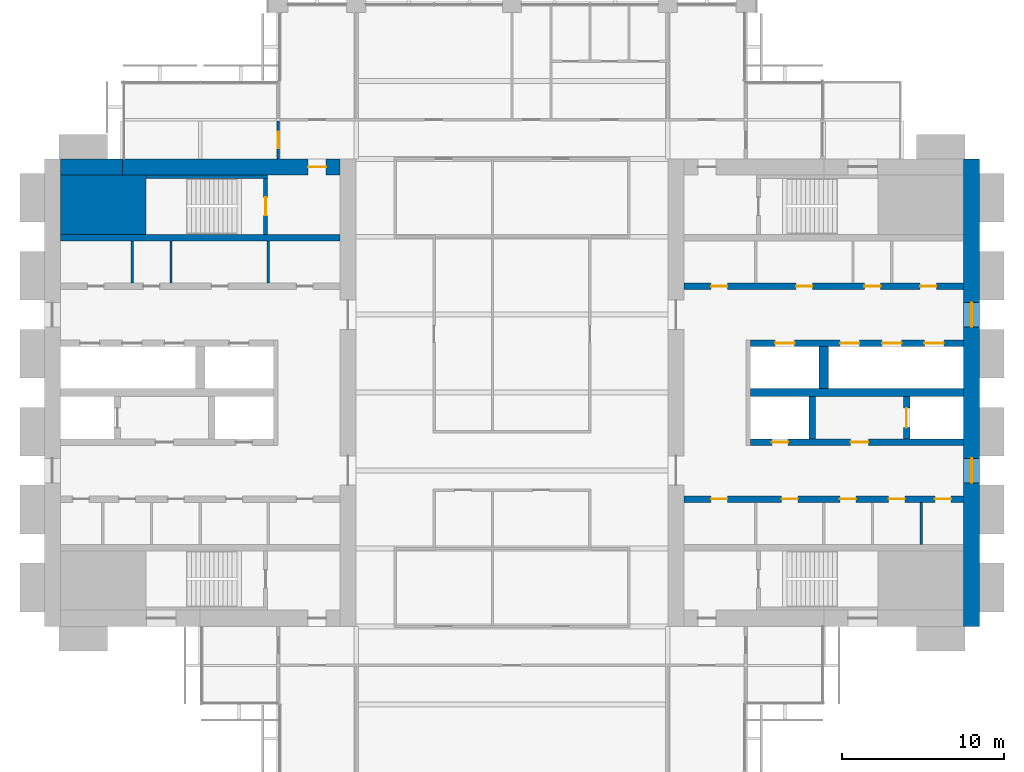
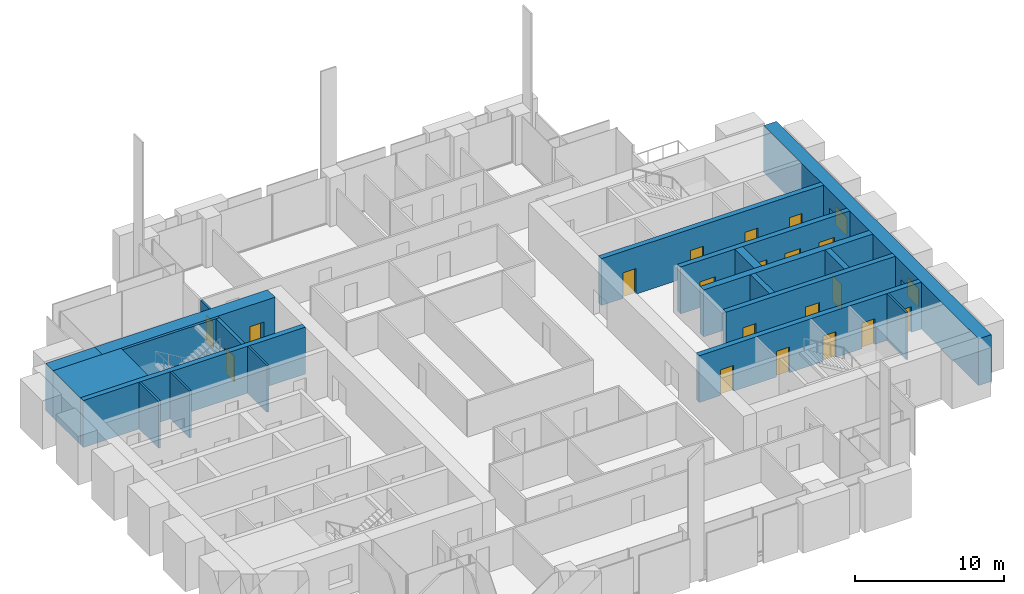
# One storey, part 11 of 14: 20 walls, 19 doors, 2 windows, 21 openings.
"""IFC4 building model written with IfcOpenShell, lengths in metres."""

from ifc_helpers import new_model, si_unit, direction, frame, frame_2d, origin, place, context, subcontext, project, spatial, rectangle, extrude, material, layer, layer_set, type_object, element, fill, save


model = new_model("IFC4")

# Units and contexts
model_context = context("Model", 3, precision=1e-05, world=origin(), true_north=direction((0.0, 1.0)))
body_context = subcontext(model_context, "Body", "Model", "MODEL_VIEW")
ifc_project = project(units=[si_unit("LENGTHUNIT", "METRE"), si_unit("AREAUNIT", "SQUARE_METRE"), si_unit("VOLUMEUNIT", "CUBIC_METRE"), si_unit("PLANEANGLEUNIT", "RADIAN"), si_unit("MASSUNIT", "GRAM", prefix="KILO")], contexts=[model_context])

# Site, building, storey
site_placement = place(None, origin())
site = spatial("IfcSite", under=ifc_project, at=site_placement, CompositionType="ELEMENT")
building_placement = place(site_placement, origin())
building = spatial("IfcBuilding", under=site, at=building_placement, Name="Baori Bourse Tower", CompositionType="ELEMENT")
storey_placement = place(building_placement, frame((0.0, 0.0, 144.10009765625)))
storey = spatial("IfcBuildingStorey", under=building, at=storey_placement, Name="L31", CompositionType="ELEMENT", Elevation=144.10009765625)

# Walls
ifc_material_1 = material(Name="Concrete f'c 60 MPa", Category="concrete")
wall_type_1 = type_object("IfcWallType", Name="Core corner block f'c 60", PredefinedType="SHEAR", material=ifc_material_1)
wall_1_placement = place(storey_placement, frame((1.0, 35.574951171875, 0.0), z_axis=(0.0, 0.0, 1.0), x_axis=(1.0, 0.0, 0.0)))
element("IfcWall", 1, at=wall_1_placement, inside=storey, type_object=wall_type_1, Name="Core wall W27", PredefinedType="SHEAR", context=body_context, shape_type="SweptSolid", body=[
    extrude(rectangle(XDim=5.25, YDim=3.64990234375, at=frame_2d((2.625, 0.0))), origin(), (0.0, 0.0, 1.0), 3.83984375),
])
ifc_material_2 = material(Name="Blockwork partition", Category="masonry")
ifc_layer_1 = layer(ifc_material_2, 0.14990234375)
ifc_layer_set_1 = layer_set([ifc_layer_1], Name="Core partition 150")
wall_type_2 = type_object("IfcWallType", Name="Core partition 150", PredefinedType="PARTITIONING", material=ifc_layer_set_1)
for number, where, z_axis, x_axis, name in (
    (2, (5.39990234375, 30.75, 0.0), (0.0, 0.0, 1.0), (0.0, 1.0, 0.0), "Partition wall W23"),
    (3, (7.800048828125, 30.75, 0.0), (0.0, 0.0, 1.0), (0.0, 1.0, 0.0), "Partition wall W24"),
    (4, (13.800048828125, 30.75, 0.0), (0.0, 0.0, 1.0), (0.0, 1.0, 0.0), "Partition wall W25"),
    (5, (54.0, 14.64990234375, 0.0), (0.0, 0.0, 1.0), (0.0, 1.0, 0.0), "Partition wall E10"),
):
    element("IfcWall", number, at=place(storey_placement, frame(where, z_axis=z_axis, x_axis=x_axis)), inside=storey, type_object=wall_type_2, Name=name, PredefinedType="PARTITIONING", context=body_context, shape_type="SweptSolid", body=[
        extrude(rectangle(XDim=2.60009765625, YDim=0.14990234375, at=frame_2d((1.300048828125, 0.0))), origin(), (0.0, 0.0, 1.0), 3.83984375),
    ])
ifc_material_3 = material(Name="Concrete f'c 60 MPa", Category="concrete")
ifc_layer_2 = layer(ifc_material_3, 1.0)
ifc_layer_set_2 = layer_set([ifc_layer_2], Name="Core wall 1000 f'c 60")
wall_type_3 = type_object("IfcWallType", Name="Core wall 1000 f'c 60", PredefinedType="SHEAR", material=ifc_layer_set_2)
wall_2_placement = place(storey_placement, frame((1.0, 37.89990234375, 0.0), z_axis=(0.0, 0.0, 1.0), x_axis=(1.0, 0.0, 0.0)))
element("IfcWall", 6, at=wall_2_placement, inside=storey, type_object=wall_type_3, Name="Core wall W30", PredefinedType="SHEAR", context=body_context, shape_type="SweptSolid", body=[
    extrude(rectangle(XDim=3.800048828125, YDim=1.0, at=frame_2d((1.89990234375, 0.0))), origin(), (0.0, 0.0, 1.0), 3.83984375),
])

# Wall, opening, door
wall_3_placement = place(storey_placement, frame((4.800048828125, 37.89990234375, 0.0), z_axis=(0.0, 0.0, 1.0), x_axis=(1.0, 0.0, 0.0)))
wall_3 = element("IfcWall", 7, at=wall_3_placement, inside=storey, type_object=wall_type_3, Name="Core wall W31", PredefinedType="SHEAR", context=body_context, shape_type="SweptSolid", body=[
    extrude(rectangle(XDim=13.39990234375, YDim=1.0, at=frame_2d((6.699951171875, 0.0))), origin(), (0.0, 0.0, 1.0), 3.83984375),
])
opening_1_placement = place(wall_3_placement, frame((11.449951171875, 0.0, 0.0)))
opening_1 = element("IfcOpeningElement", 8, at=opening_1_placement, cuts=wall_3, Name="Opening L31-D104", PredefinedType="OPENING", context=body_context, shape_type="SweptSolid", body=[
    extrude(rectangle(XDim=1.10009765625, YDim=2.10009765625, at=frame_2d((0.550048828125, 1.050048828125))), frame((0.0, 0.510009765625, 0.0), z_axis=(0.0, -1.0, 0.0), x_axis=(1.0, 0.0, 0.0)), (0.0, 0.0, 1.0), 1.02001953125),
])
ifc_material_4 = material(Name="Painted steel door", Category="steel")
door_type_1 = type_object("IfcDoorType", Name="Stair door 1100", OperationType="SINGLE_SWING_LEFT", PredefinedType="DOOR", material=ifc_material_4)
door_1_placement = place(opening_1_placement, origin())
door_1 = element("IfcDoor", 9, at=door_1_placement, inside=storey, type_object=door_type_1, Name="Stair vestibule door B W L31", OperationType="SINGLE_SWING_LEFT", OverallHeight=2.10009765625, OverallWidth=1.10009765625, PredefinedType="DOOR", context=body_context, shape_type="SweptSolid", body=[
    extrude(rectangle(XDim=1.10009765625, YDim=2.10009765625, at=frame_2d((0.550048828125, 1.050048828125))), frame((0.0, 0.02490234375, 0.0), z_axis=(0.0, -1.0, 0.0), x_axis=(1.0, 0.0, 0.0)), (0.0, 0.0, 1.0), 0.050048828125),
])
fill(opening_1, door_1)

# Wall, openings, windows
wall_4_placement = place(storey_placement, frame((57.10009765625, 38.39990234375, 0.0), z_axis=(0.0, 0.0, 1.0), x_axis=(0.0, -1.0, 0.0)))
wall_4 = element("IfcWall", 10, at=wall_4_placement, inside=storey, type_object=wall_type_3, Name="Core wall E01", PredefinedType="SHEAR", context=body_context, shape_type="SweptSolid", body=[
    extrude(rectangle(XDim=28.7998046875, YDim=1.0, at=frame_2d((14.39990234375, 0.0))), origin(), (0.0, 0.0, 1.0), 3.83984375),
])
opening_2_placement = place(wall_4_placement, frame((18.449951171875, 0.0, 0.89990234375)))
opening_2 = element("IfcOpeningElement", 11, at=opening_2_placement, cuts=wall_4, Name="Opening L31-KW201", PredefinedType="OPENING", context=body_context, shape_type="SweptSolid", body=[
    extrude(rectangle(XDim=1.5, YDim=1.5, at=frame_2d((0.75, 0.75))), frame((0.0, 0.510009765625, 0.0), z_axis=(0.0, -1.0, 0.0), x_axis=(1.0, 0.0, 0.0)), (0.0, 0.0, 1.0), 1.02001953125),
])
opening_3_placement = place(wall_4_placement, frame((8.85009765625, 0.0, 0.89990234375)))
opening_3 = element("IfcOpeningElement", 12, at=opening_3_placement, cuts=wall_4, Name="Opening L31-KW202", PredefinedType="OPENING", context=body_context, shape_type="SweptSolid", body=[
    extrude(rectangle(XDim=1.5, YDim=1.5, at=frame_2d((0.75, 0.75))), frame((0.0, 0.510009765625, 0.0), z_axis=(0.0, -1.0, 0.0), x_axis=(1.0, 0.0, 0.0)), (0.0, 0.0, 1.0), 1.02001953125),
])
ifc_material_5 = material(Name="Pale anodised aluminium", Category="aluminium")
window_type = type_object("IfcWindowType", Name="Lobby window 1500 x 1500", PartitioningType="SINGLE_PANEL", PredefinedType="WINDOW", material=ifc_material_5)
window_1_placement = place(opening_2_placement, origin())
window_1 = element("IfcWindow", 13, at=window_1_placement, inside=storey, type_object=window_type, Name="Outer wall window E L31 1", OverallHeight=1.5, OverallWidth=1.5, PartitioningType="SINGLE_PANEL", PredefinedType="WINDOW", context=body_context, shape_type="SweptSolid", body=[
    extrude(rectangle(XDim=1.5, YDim=1.5, at=frame_2d((0.75, 0.75))), frame((0.0, 0.030029296875, 0.0), z_axis=(0.0, -1.0, 0.0), x_axis=(1.0, 0.0, 0.0)), (0.0, 0.0, 1.0), 0.06005859375),
])
fill(opening_2, window_1)
window_2_placement = place(opening_3_placement, origin())
window_2 = element("IfcWindow", 14, at=window_2_placement, inside=storey, type_object=window_type, Name="Outer wall window E L31 2", OverallHeight=1.5, OverallWidth=1.5, PartitioningType="SINGLE_PANEL", PredefinedType="WINDOW", context=body_context, shape_type="SweptSolid", body=[
    extrude(rectangle(XDim=1.5, YDim=1.5, at=frame_2d((0.75, 0.75))), frame((0.0, 0.030029296875, 0.0), z_axis=(0.0, -1.0, 0.0), x_axis=(1.0, 0.0, 0.0)), (0.0, 0.0, 1.0), 0.06005859375),
])
fill(opening_3, window_2)

# Wall, opening, door
ifc_material_6 = material(Name="Gypsum board partition")
ifc_layer_3 = layer(ifc_material_6, 0.14990234375)
ifc_layer_set_3 = layer_set([ifc_layer_3], Name="Corridor partition 150")
wall_type_4 = type_object("IfcWallType", Name="Corridor partition 150", PredefinedType="PARTITIONING", material=ifc_layer_set_3)
wall_5_placement = place(storey_placement, frame((14.39990234375, 38.39990234375, 0.0), z_axis=(0.0, 0.0, 1.0), x_axis=(0.0, 1.0, 0.0)))
wall_5 = element("IfcWall", 15, at=wall_5_placement, inside=storey, type_object=wall_type_4, Name="Partition", PredefinedType="PARTITIONING", context=body_context, shape_type="SweptSolid", body=[
    extrude(rectangle(XDim=2.3251953125, YDim=0.14990234375, at=frame_2d((1.16259765625, 0.0))), origin(), (0.0, 0.0, 1.0), 2.935546875),
])
opening_4_placement = place(wall_5_placement, frame((0.66259765625, 0.0, 0.0)))
opening_4 = element("IfcOpeningElement", 16, at=opening_4_placement, cuts=wall_5, Name="Opening L31-D19", PredefinedType="OPENING", context=body_context, shape_type="SweptSolid", body=[
    extrude(rectangle(XDim=1.0, YDim=2.10009765625, at=frame_2d((0.5, 1.050048828125))), frame((0.0, 0.0849609375, 0.0), z_axis=(0.0, -1.0, 0.0), x_axis=(1.0, 0.0, 0.0)), (0.0, 0.0, 1.0), 0.169921875),
])
ifc_material_7 = material(Name="Timber door leaf", Category="wood")
door_type_2 = type_object("IfcDoorType", Name="Door 1000 x 2100", OperationType="SINGLE_SWING_LEFT", PredefinedType="DOOR", material=ifc_material_7)
door_2_placement = place(opening_4_placement, origin())
door_2 = element("IfcDoor", 17, at=door_2_placement, inside=storey, type_object=door_type_2, Name="Door", OperationType="SINGLE_SWING_RIGHT", OverallHeight=2.10009765625, OverallWidth=1.0, PredefinedType="DOOR", context=body_context, shape_type="SweptSolid", body=[
    extrude(rectangle(XDim=1.0, YDim=2.10009765625, at=frame_2d((0.5, 1.050048828125))), frame((0.0, 0.02490234375, 0.0), z_axis=(0.0, -1.0, 0.0), x_axis=(1.0, 0.0, 0.0)), (0.0, 0.0, 1.0), 0.050048828125),
])
fill(opening_4, door_2)

# Wall
ifc_material_8 = material(Name="Concrete f'c 60 MPa", Category="concrete")
ifc_layer_4 = layer(ifc_material_8, 0.199951171875)
ifc_layer_set_4 = layer_set([ifc_layer_4], Name="Shaft wall 200 f'c 60")
wall_type_5 = type_object("IfcWallType", Name="Shaft wall 200 f'c 60", PredefinedType="SHEAR", material=ifc_layer_set_4)
wall_6_placement = place(storey_placement, frame((6.25, 37.300048828125, 0.0), z_axis=(0.0, 0.0, 1.0), x_axis=(1.0, 0.0, 0.0)))
element("IfcWall", 18, at=wall_6_placement, inside=storey, type_object=wall_type_5, Name="Core wall W29", PredefinedType="SHEAR", context=body_context, shape_type="SweptSolid", body=[
    extrude(rectangle(XDim=7.5, YDim=0.199951171875, at=frame_2d((3.75, 0.0))), origin(), (0.0, 0.0, 1.0), 3.83984375),
])

# Wall, opening, door
ifc_material_9 = material(Name="Concrete f'c 60 MPa", Category="concrete")
ifc_layer_5 = layer(ifc_material_9, 0.25)
ifc_layer_set_5 = layer_set([ifc_layer_5], Name="Shaft wall 250 f'c 60")
wall_type_6 = type_object("IfcWallType", Name="Shaft wall 250 f'c 60", PredefinedType="SHEAR", material=ifc_layer_set_5)
wall_7_placement = place(storey_placement, frame((13.625, 33.75, 0.0), z_axis=(0.0, 0.0, 1.0), x_axis=(0.0, 1.0, 0.0)))
wall_7 = element("IfcWall", 19, at=wall_7_placement, inside=storey, type_object=wall_type_6, Name="Core wall W28", PredefinedType="SHEAR", context=body_context, shape_type="SweptSolid", body=[
    extrude(rectangle(XDim=3.449951171875, YDim=0.25, at=frame_2d((1.72509765625, 0.0))), origin(), (0.0, 0.0, 1.0), 3.83984375),
])
opening_5_placement = place(wall_7_placement, frame((1.175048828125, 0.0, 0.0)))
opening_5 = element("IfcOpeningElement", 20, at=opening_5_placement, cuts=wall_7, Name="Opening L31-D103", PredefinedType="OPENING", context=body_context, shape_type="SweptSolid", body=[
    extrude(rectangle(XDim=1.10009765625, YDim=2.10009765625, at=frame_2d((0.550048828125, 1.050048828125))), frame((0.0, 0.135009765625, 0.0), z_axis=(0.0, -1.0, 0.0), x_axis=(1.0, 0.0, 0.0)), (0.0, 0.0, 1.0), 0.27001953125),
])
door_3_placement = place(opening_5_placement, origin())
door_3 = element("IfcDoor", 21, at=door_3_placement, inside=storey, type_object=door_type_1, Name="Stair door B W L31", OperationType="SINGLE_SWING_LEFT", OverallHeight=2.10009765625, OverallWidth=1.10009765625, PredefinedType="DOOR", context=body_context, shape_type="SweptSolid", body=[
    extrude(rectangle(XDim=1.10009765625, YDim=2.10009765625, at=frame_2d((0.550048828125, 1.050048828125))), frame((0.0, 0.02490234375, 0.0), z_axis=(0.0, -1.0, 0.0), x_axis=(1.0, 0.0, 0.0)), (0.0, 0.0, 1.0), 0.050048828125),
])
fill(opening_5, door_3)

# Wall
ifc_material_10 = material(Name="Concrete f'c 60 MPa", Category="concrete")
ifc_layer_6 = layer(ifc_material_10, 0.39990234375)
ifc_layer_set_6 = layer_set([ifc_layer_6], Name="Shaft wall 400 f'c 60")
wall_type_7 = type_object("IfcWallType", Name="Shaft wall 400 f'c 60", PredefinedType="SHEAR", material=ifc_layer_set_6)
wall_8_placement = place(storey_placement, frame((1.0, 33.550048828125, 0.0), z_axis=(0.0, 0.0, 1.0), x_axis=(1.0, 0.0, 0.0)))
element("IfcWall", 22, at=wall_8_placement, inside=storey, type_object=wall_type_7, Name="Core wall W26", PredefinedType="SHEAR", context=body_context, shape_type="SweptSolid", body=[
    extrude(rectangle(XDim=17.199951171875, YDim=0.39990234375, at=frame_2d((8.60009765625, 0.0))), origin(), (0.0, 0.0, 1.0), 3.83984375),
])

# Wall, openings, doors
wall_9_placement = place(storey_placement, frame((39.39990234375, 17.449951171875, 0.0), z_axis=(0.0, 0.0, 1.0), x_axis=(1.0, 0.0, 0.0)))
wall_9 = element("IfcWall", 23, at=wall_9_placement, inside=storey, type_object=wall_type_7, Name="Core wall E14", PredefinedType="SHEAR", context=body_context, shape_type="SweptSolid", body=[
    extrude(rectangle(XDim=17.2001953125, YDim=0.39990234375, at=frame_2d((8.60009765625, 0.0))), origin(), (0.0, 0.0, 1.0), 3.83984375),
])
opening_6_placement = place(wall_9_placement, frame((15.4375, 0.0, 0.0)))
opening_6 = element("IfcOpeningElement", 24, at=opening_6_placement, cuts=wall_9, Name="Opening L31-D213", PredefinedType="OPENING", context=body_context, shape_type="SweptSolid", body=[
    extrude(rectangle(XDim=1.0, YDim=2.10009765625, at=frame_2d((0.5, 1.050048828125))), frame((0.0, 0.2099609375, 0.0), z_axis=(0.0, -1.0, 0.0), x_axis=(1.0, 0.0, 0.0)), (0.0, 0.0, 1.0), 0.419921875),
])
opening_7_placement = place(wall_9_placement, frame((12.60009765625, 0.0, 0.0)))
opening_7 = element("IfcOpeningElement", 25, at=opening_7_placement, cuts=wall_9, Name="Opening L31-D214", PredefinedType="OPENING", context=body_context, shape_type="SweptSolid", body=[
    extrude(rectangle(XDim=1.0, YDim=2.10009765625, at=frame_2d((0.5, 1.050048828125))), frame((0.0, 0.2099609375, 0.0), z_axis=(0.0, -1.0, 0.0), x_axis=(1.0, 0.0, 0.0)), (0.0, 0.0, 1.0), 0.419921875),
])
opening_8_placement = place(wall_9_placement, frame((9.60009765625, 0.0, 0.0)))
opening_8 = element("IfcOpeningElement", 26, at=opening_8_placement, cuts=wall_9, Name="Opening L31-D215", PredefinedType="OPENING", context=body_context, shape_type="SweptSolid", body=[
    extrude(rectangle(XDim=1.0, YDim=2.10009765625, at=frame_2d((0.5, 1.050048828125))), frame((0.0, 0.2099609375, 0.0), z_axis=(0.0, -1.0, 0.0), x_axis=(1.0, 0.0, 0.0)), (0.0, 0.0, 1.0), 0.419921875),
])
opening_9_placement = place(wall_9_placement, frame((6.0, 0.0, 0.0)))
opening_9 = element("IfcOpeningElement", 27, at=opening_9_placement, cuts=wall_9, Name="Opening L31-D216", PredefinedType="OPENING", context=body_context, shape_type="SweptSolid", body=[
    extrude(rectangle(XDim=1.0, YDim=2.10009765625, at=frame_2d((0.5, 1.050048828125))), frame((0.0, 0.2099609375, 0.0), z_axis=(0.0, -1.0, 0.0), x_axis=(1.0, 0.0, 0.0)), (0.0, 0.0, 1.0), 0.419921875),
])
opening_10_placement = place(wall_9_placement, frame((1.66259765625, 0.0, 0.0)))
opening_10 = element("IfcOpeningElement", 28, at=opening_10_placement, cuts=wall_9, Name="Opening L31-D217", PredefinedType="OPENING", context=body_context, shape_type="SweptSolid", body=[
    extrude(rectangle(XDim=1.0, YDim=2.10009765625, at=frame_2d((0.5, 1.050048828125))), frame((0.0, 0.2099609375, 0.0), z_axis=(0.0, -1.0, 0.0), x_axis=(1.0, 0.0, 0.0)), (0.0, 0.0, 1.0), 0.419921875),
])
ifc_material_11 = material(Name="Painted steel door", Category="steel")
door_type_3 = type_object("IfcDoorType", Name="Core door 1000", OperationType="SINGLE_SWING_LEFT", PredefinedType="DOOR", material=ifc_material_11)
door_4_placement = place(opening_6_placement, origin())
door_4 = element("IfcDoor", 29, at=door_4_placement, inside=storey, type_object=door_type_3, Name="Pantry door E L31", OperationType="SINGLE_SWING_LEFT", OverallHeight=2.10009765625, OverallWidth=1.0, PredefinedType="DOOR", context=body_context, shape_type="SweptSolid", body=[
    extrude(rectangle(XDim=1.0, YDim=2.10009765625, at=frame_2d((0.5, 1.050048828125))), frame((0.0, 0.02490234375, 0.0), z_axis=(0.0, -1.0, 0.0), x_axis=(1.0, 0.0, 0.0)), (0.0, 0.0, 1.0), 0.050048828125),
])
fill(opening_6, door_4)
door_5_placement = place(opening_7_placement, origin())
door_5 = element("IfcDoor", 30, at=door_5_placement, inside=storey, type_object=door_type_3, Name="Accessible Wc door E L31", OperationType="SINGLE_SWING_LEFT", OverallHeight=2.10009765625, OverallWidth=1.0, PredefinedType="DOOR", context=body_context, shape_type="SweptSolid", body=[
    extrude(rectangle(XDim=1.0, YDim=2.10009765625, at=frame_2d((0.5, 1.050048828125))), frame((0.0, 0.02490234375, 0.0), z_axis=(0.0, -1.0, 0.0), x_axis=(1.0, 0.0, 0.0)), (0.0, 0.0, 1.0), 0.050048828125),
])
fill(opening_7, door_5)
door_6_placement = place(opening_9_placement, origin())
door_6 = element("IfcDoor", 31, at=door_6_placement, inside=storey, type_object=door_type_3, Name="Men'S Wc door E L31", OperationType="SINGLE_SWING_LEFT", OverallHeight=2.10009765625, OverallWidth=1.0, PredefinedType="DOOR", context=body_context, shape_type="SweptSolid", body=[
    extrude(rectangle(XDim=1.0, YDim=2.10009765625, at=frame_2d((0.5, 1.050048828125))), frame((0.0, 0.02490234375, 0.0), z_axis=(0.0, -1.0, 0.0), x_axis=(1.0, 0.0, 0.0)), (0.0, 0.0, 1.0), 0.050048828125),
])
fill(opening_9, door_6)
door_7_placement = place(opening_10_placement, origin())
door_7 = element("IfcDoor", 32, at=door_7_placement, inside=storey, type_object=door_type_3, Name="Women'S Wc door E L31", OperationType="SINGLE_SWING_LEFT", OverallHeight=2.10009765625, OverallWidth=1.0, PredefinedType="DOOR", context=body_context, shape_type="SweptSolid", body=[
    extrude(rectangle(XDim=1.0, YDim=2.10009765625, at=frame_2d((0.5, 1.050048828125))), frame((0.0, 0.02490234375, 0.0), z_axis=(0.0, -1.0, 0.0), x_axis=(1.0, 0.0, 0.0)), (0.0, 0.0, 1.0), 0.050048828125),
])
fill(opening_10, door_7)
ifc_material_12 = material(Name="Painted steel door", Category="steel")
door_type_4 = type_object("IfcDoorType", Name="Plant room door 1000", OperationType="SINGLE_SWING_LEFT", PredefinedType="DOOR", material=ifc_material_12)
door_8_placement = place(opening_8_placement, origin())
door_8 = element("IfcDoor", 33, at=door_8_placement, inside=storey, type_object=door_type_4, Name="Electrical Room door E L31", OperationType="SINGLE_SWING_LEFT", OverallHeight=2.10009765625, OverallWidth=1.0, PredefinedType="DOOR", context=body_context, shape_type="SweptSolid", body=[
    extrude(rectangle(XDim=1.0, YDim=2.10009765625, at=frame_2d((0.5, 1.050048828125))), frame((0.0, 0.02490234375, 0.0), z_axis=(0.0, -1.0, 0.0), x_axis=(1.0, 0.0, 0.0)), (0.0, 0.0, 1.0), 0.050048828125),
])
fill(opening_8, door_8)

wall_10_placement = place(storey_placement, frame((43.5, 20.949951171875, 0.0), z_axis=(0.0, 0.0, 1.0), x_axis=(1.0, 0.0, 0.0)))
wall_10 = element("IfcWall", 34, at=wall_10_placement, inside=storey, type_object=wall_type_7, Name="Core wall E15", PredefinedType="SHEAR", context=body_context, shape_type="SweptSolid", body=[
    extrude(rectangle(XDim=13.10009765625, YDim=0.39990234375, at=frame_2d((6.550048828125, 0.0))), origin(), (0.0, 0.0, 1.0), 3.83984375),
])
opening_11_placement = place(wall_10_placement, frame((6.14990234375, 0.0, 0.0)))
opening_11 = element("IfcOpeningElement", 35, at=opening_11_placement, cuts=wall_10, Name="Opening L31-D205", PredefinedType="OPENING", context=body_context, shape_type="SweptSolid", body=[
    extrude(rectangle(XDim=1.10009765625, YDim=2.10009765625, at=frame_2d((0.550048828125, 1.050048828125))), frame((0.0, 0.2099609375, 0.0), z_axis=(0.0, -1.0, 0.0), x_axis=(1.0, 0.0, 0.0)), (0.0, 0.0, 1.0), 0.419921875),
])
opening_12_placement = place(wall_10_placement, frame((1.300048828125, 0.0, 0.0)))
opening_12 = element("IfcOpeningElement", 36, at=opening_12_placement, cuts=wall_10, Name="Opening L31-D206", PredefinedType="OPENING", context=body_context, shape_type="SweptSolid", body=[
    extrude(rectangle(XDim=1.0, YDim=2.10009765625, at=frame_2d((0.5, 1.050048828125))), frame((0.0, 0.2099609375, 0.0), z_axis=(0.0, -1.0, 0.0), x_axis=(1.0, 0.0, 0.0)), (0.0, 0.0, 1.0), 0.419921875),
])
ifc_material_13 = material(Name="Painted steel door", Category="steel")
door_type_5 = type_object("IfcDoorType", Name="Lobby door 1100", OperationType="SINGLE_SWING_LEFT", PredefinedType="DOOR", material=ifc_material_13)
door_9_placement = place(opening_11_placement, origin())
door_9 = element("IfcDoor", 37, at=door_9_placement, inside=storey, type_object=door_type_5, Name="Firefighting lobby door E L31", OperationType="SINGLE_SWING_LEFT", OverallHeight=2.10009765625, OverallWidth=1.10009765625, PredefinedType="DOOR", context=body_context, shape_type="SweptSolid", body=[
    extrude(rectangle(XDim=1.10009765625, YDim=2.10009765625, at=frame_2d((0.550048828125, 1.050048828125))), frame((0.0, 0.02490234375, 0.0), z_axis=(0.0, -1.0, 0.0), x_axis=(1.0, 0.0, 0.0)), (0.0, 0.0, 1.0), 0.050048828125),
])
fill(opening_11, door_9)
ifc_material_14 = material(Name="Painted steel door", Category="steel")
door_type_6 = type_object("IfcDoorType", Name="Shaft door 1000", OperationType="SINGLE_SWING_LEFT", PredefinedType="DOOR", material=ifc_material_14)
door_10_placement = place(opening_12_placement, origin())
door_10 = element("IfcDoor", 38, at=door_10_placement, inside=storey, type_object=door_type_6, Name="Riser room door E L31", OperationType="SINGLE_SWING_LEFT", OverallHeight=2.10009765625, OverallWidth=1.0, PredefinedType="DOOR", context=body_context, shape_type="SweptSolid", body=[
    extrude(rectangle(XDim=1.0, YDim=2.10009765625, at=frame_2d((0.5, 1.050048828125))), frame((0.0, 0.02490234375, 0.0), z_axis=(0.0, -1.0, 0.0), x_axis=(1.0, 0.0, 0.0)), (0.0, 0.0, 1.0), 0.050048828125),
])
fill(opening_12, door_10)

# Wall, opening, door
wall_11_placement = place(storey_placement, frame((53.10009765625, 21.14990234375, 0.0), z_axis=(0.0, 0.0, 1.0), x_axis=(0.0, 1.0, 0.0)))
wall_11 = element("IfcWall", 39, at=wall_11_placement, inside=storey, type_object=wall_type_7, Name="Core wall E17", PredefinedType="SHEAR", context=body_context, shape_type="SweptSolid", body=[
    extrude(rectangle(XDim=2.60009765625, YDim=0.39990234375, at=frame_2d((1.300048828125, 0.0))), origin(), (0.0, 0.0, 1.0), 3.83984375),
])
opening_13_placement = place(wall_11_placement, frame((0.699951171875, 0.0, 0.0)))
opening_13 = element("IfcOpeningElement", 40, at=opening_13_placement, cuts=wall_11, Name="Opening L31-D222", PredefinedType="OPENING", context=body_context, shape_type="SweptSolid", body=[
    extrude(rectangle(XDim=1.199951171875, YDim=2.10009765625, at=frame_2d((0.60009765625, 1.050048828125))), frame((0.0, 0.2099609375, 0.0), z_axis=(0.0, -1.0, 0.0), x_axis=(1.0, 0.0, 0.0)), (0.0, 0.0, 1.0), 0.419921875),
])
ifc_material_15 = material(Name="Stainless steel door", Category="steel")
door_type_7 = type_object("IfcDoorType", Name="Lift landing door", OperationType="DOUBLE_DOOR_SLIDING", PredefinedType="DOOR", material=ifc_material_15)
door_11_placement = place(opening_13_placement, origin())
door_11 = element("IfcDoor", 41, at=door_11_placement, inside=storey, type_object=door_type_7, Name="Lift landing door FF2 E L31", OperationType="DOUBLE_DOOR_SLIDING", OverallHeight=2.10009765625, OverallWidth=1.199951171875, PredefinedType="DOOR", context=body_context, shape_type="SweptSolid", body=[
    extrude(rectangle(XDim=1.199951171875, YDim=2.10009765625, at=frame_2d((0.60009765625, 1.050048828125))), frame((0.0, 0.02490234375, 0.0), z_axis=(0.0, -1.0, 0.0), x_axis=(1.0, 0.0, 0.0)), (0.0, 0.0, 1.0), 0.050048828125),
])
fill(opening_13, door_11)

# Wall
wall_12_placement = place(storey_placement, frame((47.300048828125, 21.14990234375, 0.0), z_axis=(0.0, 0.0, 1.0), x_axis=(0.0, 1.0, 0.0)))
element("IfcWall", 42, at=wall_12_placement, inside=storey, type_object=wall_type_7, Name="Core wall E18", PredefinedType="SHEAR", context=body_context, shape_type="SweptSolid", body=[
    extrude(rectangle(XDim=2.60009765625, YDim=0.39990234375, at=frame_2d((1.300048828125, 0.0))), origin(), (0.0, 0.0, 1.0), 3.83984375),
])

# Wall, openings, doors
wall_13_placement = place(storey_placement, frame((43.5, 27.050048828125, 0.0), z_axis=(0.0, 0.0, 1.0), x_axis=(1.0, 0.0, 0.0)))
wall_13 = element("IfcWall", 43, at=wall_13_placement, inside=storey, type_object=wall_type_7, Name="Core wall E21", PredefinedType="SHEAR", context=body_context, shape_type="SweptSolid", body=[
    extrude(rectangle(XDim=13.10009765625, YDim=0.39990234375, at=frame_2d((6.550048828125, 0.0))), origin(), (0.0, 0.0, 1.0), 3.83984375),
])
opening_14_placement = place(wall_13_placement, frame((10.699951171875, 0.0, 0.0)))
opening_14 = element("IfcOpeningElement", 44, at=opening_14_placement, cuts=wall_13, Name="Opening L31-D218", PredefinedType="OPENING", context=body_context, shape_type="SweptSolid", body=[
    extrude(rectangle(XDim=1.199951171875, YDim=2.10009765625, at=frame_2d((0.60009765625, 1.050048828125))), frame((0.0, 0.2099609375, 0.0), z_axis=(0.0, -1.0, 0.0), x_axis=(1.0, 0.0, 0.0)), (0.0, 0.0, 1.0), 0.419921875),
])
opening_15_placement = place(wall_13_placement, frame((8.10009765625, 0.0, 0.0)))
opening_15 = element("IfcOpeningElement", 45, at=opening_15_placement, cuts=wall_13, Name="Opening L31-D219", PredefinedType="OPENING", context=body_context, shape_type="SweptSolid", body=[
    extrude(rectangle(XDim=1.199951171875, YDim=2.10009765625, at=frame_2d((0.60009765625, 1.050048828125))), frame((0.0, 0.2099609375, 0.0), z_axis=(0.0, -1.0, 0.0), x_axis=(1.0, 0.0, 0.0)), (0.0, 0.0, 1.0), 0.419921875),
])
opening_16_placement = place(wall_13_placement, frame((5.5, 0.0, 0.0)))
opening_16 = element("IfcOpeningElement", 46, at=opening_16_placement, cuts=wall_13, Name="Opening L31-D220", PredefinedType="OPENING", context=body_context, shape_type="SweptSolid", body=[
    extrude(rectangle(XDim=1.199951171875, YDim=2.10009765625, at=frame_2d((0.60009765625, 1.050048828125))), frame((0.0, 0.2099609375, 0.0), z_axis=(0.0, -1.0, 0.0), x_axis=(1.0, 0.0, 0.0)), (0.0, 0.0, 1.0), 0.419921875),
])
opening_17_placement = place(wall_13_placement, frame((1.5, 0.0, 0.0)))
opening_17 = element("IfcOpeningElement", 47, at=opening_17_placement, cuts=wall_13, Name="Opening L31-D221", PredefinedType="OPENING", context=body_context, shape_type="SweptSolid", body=[
    extrude(rectangle(XDim=1.199951171875, YDim=2.10009765625, at=frame_2d((0.60009765625, 1.050048828125))), frame((0.0, 0.2099609375, 0.0), z_axis=(0.0, -1.0, 0.0), x_axis=(1.0, 0.0, 0.0)), (0.0, 0.0, 1.0), 0.419921875),
])
door_12_placement = place(opening_14_placement, origin())
door_12 = element("IfcDoor", 48, at=door_12_placement, inside=storey, type_object=door_type_7, Name="Lift landing door SH1 E L31", OperationType="DOUBLE_DOOR_SLIDING", OverallHeight=2.10009765625, OverallWidth=1.199951171875, PredefinedType="DOOR", context=body_context, shape_type="SweptSolid", body=[
    extrude(rectangle(XDim=1.199951171875, YDim=2.10009765625, at=frame_2d((0.60009765625, 1.050048828125))), frame((0.0, 0.02490234375, 0.0), z_axis=(0.0, -1.0, 0.0), x_axis=(1.0, 0.0, 0.0)), (0.0, 0.0, 1.0), 0.050048828125),
])
fill(opening_14, door_12)
door_13_placement = place(opening_15_placement, origin())
door_13 = element("IfcDoor", 49, at=door_13_placement, inside=storey, type_object=door_type_7, Name="Lift landing door SH2 E L31", OperationType="DOUBLE_DOOR_SLIDING", OverallHeight=2.10009765625, OverallWidth=1.199951171875, PredefinedType="DOOR", context=body_context, shape_type="SweptSolid", body=[
    extrude(rectangle(XDim=1.199951171875, YDim=2.10009765625, at=frame_2d((0.60009765625, 1.050048828125))), frame((0.0, 0.02490234375, 0.0), z_axis=(0.0, -1.0, 0.0), x_axis=(1.0, 0.0, 0.0)), (0.0, 0.0, 1.0), 0.050048828125),
])
fill(opening_15, door_13)
door_14_placement = place(opening_16_placement, origin())
door_14 = element("IfcDoor", 50, at=door_14_placement, inside=storey, type_object=door_type_7, Name="Lift landing door SH3 E L31", OperationType="DOUBLE_DOOR_SLIDING", OverallHeight=2.10009765625, OverallWidth=1.199951171875, PredefinedType="DOOR", context=body_context, shape_type="SweptSolid", body=[
    extrude(rectangle(XDim=1.199951171875, YDim=2.10009765625, at=frame_2d((0.60009765625, 1.050048828125))), frame((0.0, 0.02490234375, 0.0), z_axis=(0.0, -1.0, 0.0), x_axis=(1.0, 0.0, 0.0)), (0.0, 0.0, 1.0), 0.050048828125),
])
fill(opening_16, door_14)
door_15_placement = place(opening_17_placement, origin())
door_15 = element("IfcDoor", 51, at=door_15_placement, inside=storey, type_object=door_type_7, Name="Lift landing door SV1 E L31", OperationType="DOUBLE_DOOR_SLIDING", OverallHeight=2.10009765625, OverallWidth=1.199951171875, PredefinedType="DOOR", context=body_context, shape_type="SweptSolid", body=[
    extrude(rectangle(XDim=1.199951171875, YDim=2.10009765625, at=frame_2d((0.60009765625, 1.050048828125))), frame((0.0, 0.02490234375, 0.0), z_axis=(0.0, -1.0, 0.0), x_axis=(1.0, 0.0, 0.0)), (0.0, 0.0, 1.0), 0.050048828125),
])
fill(opening_17, door_15)

wall_14_placement = place(storey_placement, frame((39.39990234375, 30.550048828125, 0.0), z_axis=(0.0, 0.0, 1.0), x_axis=(1.0, 0.0, 0.0)))
wall_14 = element("IfcWall", 52, at=wall_14_placement, inside=storey, type_object=wall_type_7, Name="Core wall E22", PredefinedType="SHEAR", context=body_context, shape_type="SweptSolid", body=[
    extrude(rectangle(XDim=17.2001953125, YDim=0.39990234375, at=frame_2d((8.60009765625, 0.0))), origin(), (0.0, 0.0, 1.0), 3.83984375),
])
opening_18_placement = place(wall_14_placement, frame((14.53759765625, 0.0, 0.0)))
opening_18 = element("IfcOpeningElement", 53, at=opening_18_placement, cuts=wall_14, Name="Opening L31-D209", PredefinedType="OPENING", context=body_context, shape_type="SweptSolid", body=[
    extrude(rectangle(XDim=1.0, YDim=2.10009765625, at=frame_2d((0.5, 1.050048828125))), frame((0.0, 0.2099609375, 0.0), z_axis=(0.0, -1.0, 0.0), x_axis=(1.0, 0.0, 0.0)), (0.0, 0.0, 1.0), 0.419921875),
])
opening_19_placement = place(wall_14_placement, frame((11.10009765625, 0.0, 0.0)))
opening_19 = element("IfcOpeningElement", 54, at=opening_19_placement, cuts=wall_14, Name="Opening L31-D210", PredefinedType="OPENING", context=body_context, shape_type="SweptSolid", body=[
    extrude(rectangle(XDim=1.0, YDim=2.10009765625, at=frame_2d((0.5, 1.050048828125))), frame((0.0, 0.2099609375, 0.0), z_axis=(0.0, -1.0, 0.0), x_axis=(1.0, 0.0, 0.0)), (0.0, 0.0, 1.0), 0.419921875),
])
opening_20_placement = place(wall_14_placement, frame((6.89990234375, 0.0, 0.0)))
opening_20 = element("IfcOpeningElement", 55, at=opening_20_placement, cuts=wall_14, Name="Opening L31-D211", PredefinedType="OPENING", context=body_context, shape_type="SweptSolid", body=[
    extrude(rectangle(XDim=1.0, YDim=2.10009765625, at=frame_2d((0.5, 1.050048828125))), frame((0.0, 0.2099609375, 0.0), z_axis=(0.0, -1.0, 0.0), x_axis=(1.0, 0.0, 0.0)), (0.0, 0.0, 1.0), 0.419921875),
])
opening_21_placement = place(wall_14_placement, frame((1.66259765625, 0.0, 0.0)))
opening_21 = element("IfcOpeningElement", 56, at=opening_21_placement, cuts=wall_14, Name="Opening L31-D212", PredefinedType="OPENING", context=body_context, shape_type="SweptSolid", body=[
    extrude(rectangle(XDim=1.0, YDim=2.10009765625, at=frame_2d((0.5, 1.050048828125))), frame((0.0, 0.2099609375, 0.0), z_axis=(0.0, -1.0, 0.0), x_axis=(1.0, 0.0, 0.0)), (0.0, 0.0, 1.0), 0.419921875),
])
door_16_placement = place(opening_18_placement, origin())
door_16 = element("IfcDoor", 57, at=door_16_placement, inside=storey, type_object=door_type_3, Name="Women'S Wc door E L31", OperationType="SINGLE_SWING_LEFT", OverallHeight=2.10009765625, OverallWidth=1.0, PredefinedType="DOOR", context=body_context, shape_type="SweptSolid", body=[
    extrude(rectangle(XDim=1.0, YDim=2.10009765625, at=frame_2d((0.5, 1.050048828125))), frame((0.0, 0.02490234375, 0.0), z_axis=(0.0, -1.0, 0.0), x_axis=(1.0, 0.0, 0.0)), (0.0, 0.0, 1.0), 0.050048828125),
])
fill(opening_18, door_16)
door_17_placement = place(opening_20_placement, origin())
door_17 = element("IfcDoor", 58, at=door_17_placement, inside=storey, type_object=door_type_3, Name="Men'S Wc door E L31", OperationType="SINGLE_SWING_LEFT", OverallHeight=2.10009765625, OverallWidth=1.0, PredefinedType="DOOR", context=body_context, shape_type="SweptSolid", body=[
    extrude(rectangle(XDim=1.0, YDim=2.10009765625, at=frame_2d((0.5, 1.050048828125))), frame((0.0, 0.02490234375, 0.0), z_axis=(0.0, -1.0, 0.0), x_axis=(1.0, 0.0, 0.0)), (0.0, 0.0, 1.0), 0.050048828125),
])
fill(opening_20, door_17)
door_18_placement = place(opening_21_placement, origin())
door_18 = element("IfcDoor", 59, at=door_18_placement, inside=storey, type_object=door_type_3, Name="Accessible Wc door E L31", OperationType="SINGLE_SWING_LEFT", OverallHeight=2.10009765625, OverallWidth=1.0, PredefinedType="DOOR", context=body_context, shape_type="SweptSolid", body=[
    extrude(rectangle(XDim=1.0, YDim=2.10009765625, at=frame_2d((0.5, 1.050048828125))), frame((0.0, 0.02490234375, 0.0), z_axis=(0.0, -1.0, 0.0), x_axis=(1.0, 0.0, 0.0)), (0.0, 0.0, 1.0), 0.050048828125),
])
fill(opening_21, door_18)
door_19_placement = place(opening_19_placement, origin())
door_19 = element("IfcDoor", 60, at=door_19_placement, inside=storey, type_object=door_type_4, Name="Electrical Room door E L31", OperationType="SINGLE_SWING_LEFT", OverallHeight=2.10009765625, OverallWidth=1.0, PredefinedType="DOOR", context=body_context, shape_type="SweptSolid", body=[
    extrude(rectangle(XDim=1.0, YDim=2.10009765625, at=frame_2d((0.5, 1.050048828125))), frame((0.0, 0.02490234375, 0.0), z_axis=(0.0, -1.0, 0.0), x_axis=(1.0, 0.0, 0.0)), (0.0, 0.0, 1.0), 0.050048828125),
])
fill(opening_19, door_19)

# Walls
ifc_material_16 = material(Name="Concrete f'c 60 MPa", Category="concrete")
ifc_layer_7 = layer(ifc_material_16, 0.5)
ifc_layer_set_7 = layer_set([ifc_layer_7], Name="Shaft wall 500 f'c 60")
wall_type_8 = type_object("IfcWallType", Name="Shaft wall 500 f'c 60", PredefinedType="SHEAR", material=ifc_layer_set_7)
wall_15_placement = place(storey_placement, frame((43.5, 24.0, 0.0), z_axis=(0.0, 0.0, 1.0), x_axis=(1.0, 0.0, 0.0)))
element("IfcWall", 61, at=wall_15_placement, inside=storey, type_object=wall_type_8, Name="Core wall E19", PredefinedType="SHEAR", context=body_context, shape_type="SweptSolid", body=[
    extrude(rectangle(XDim=13.10009765625, YDim=0.5, at=frame_2d((6.550048828125, 0.0))), origin(), (0.0, 0.0, 1.0), 3.83984375),
])
ifc_material_17 = material(Name="Concrete f'c 60 MPa", Category="concrete")
ifc_layer_8 = layer(ifc_material_17, 0.60009765625)
ifc_layer_set_8 = layer_set([ifc_layer_8], Name="Shaft wall 600 f'c 60")
wall_type_9 = type_object("IfcWallType", Name="Shaft wall 600 f'c 60", PredefinedType="SHEAR", material=ifc_layer_set_8)
wall_16_placement = place(storey_placement, frame((48.0, 24.25, 0.0), z_axis=(0.0, 0.0, 1.0), x_axis=(0.0, 1.0, 0.0)))
element("IfcWall", 62, at=wall_16_placement, inside=storey, type_object=wall_type_9, Name="Core wall E20", PredefinedType="SHEAR", context=body_context, shape_type="SweptSolid", body=[
    extrude(rectangle(XDim=2.60009765625, YDim=0.60009765625, at=frame_2d((1.300048828125, 0.0))), origin(), (0.0, 0.0, 1.0), 3.83984375),
])

save(model, "model.ifc")
